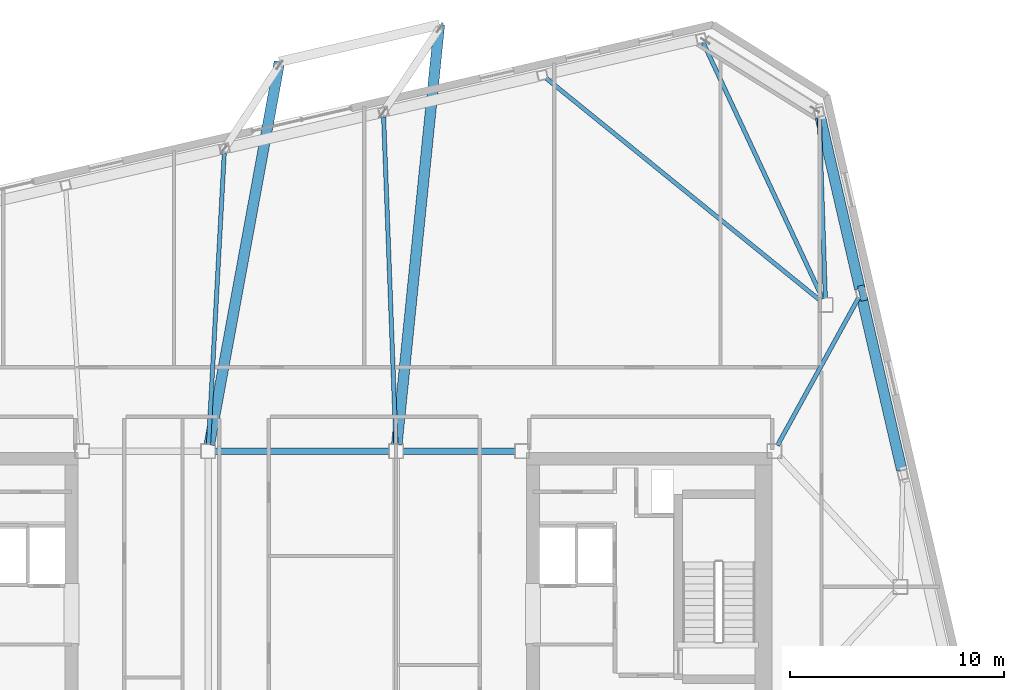
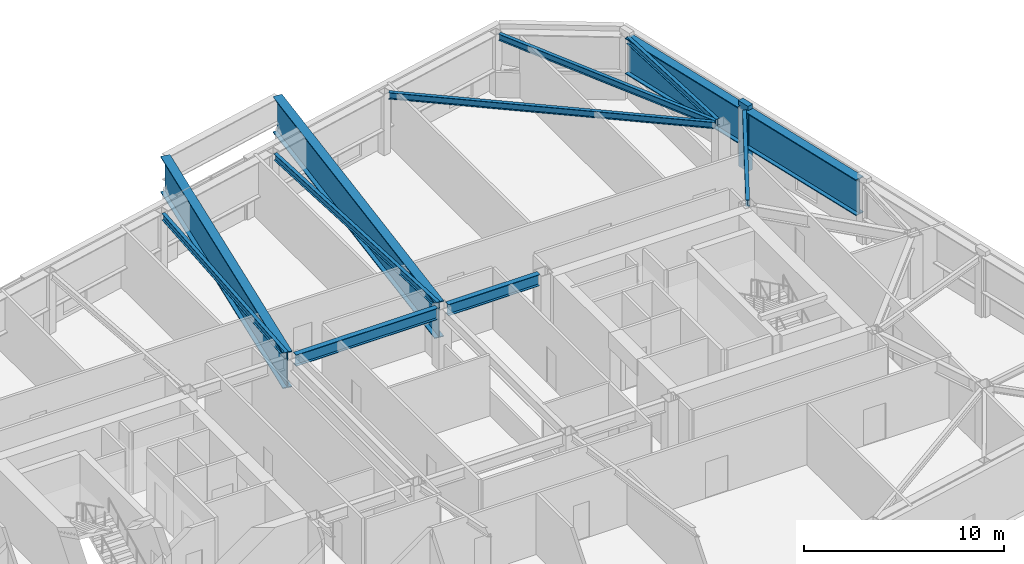
# One storey, part 13 of 23: 12 beams, 1 member.
"""IFC4 building model written with IfcOpenShell, lengths in metres."""

from ifc_helpers import new_model, si_unit, direction, frame, origin, origin_2d, place, context, subcontext, project, spatial, rectangle, i_section, extrude, material, material_profile, profile_set, type_object, element, save


model = new_model("IFC4")

# Units and contexts
model_context = context("Model", 3, precision=1e-05, world=origin(), true_north=direction((0.0, 1.0)))
body_context = subcontext(model_context, "Body", "Model", "MODEL_VIEW")
ifc_project = project(units=[si_unit("LENGTHUNIT", "METRE"), si_unit("AREAUNIT", "SQUARE_METRE"), si_unit("VOLUMEUNIT", "CUBIC_METRE"), si_unit("PLANEANGLEUNIT", "RADIAN"), si_unit("MASSUNIT", "GRAM", prefix="KILO")], contexts=[model_context])

# Site, building, storey
site_placement = place(None, origin())
site = spatial("IfcSite", under=ifc_project, at=site_placement, CompositionType="ELEMENT")
building_placement = place(site_placement, origin())
building = spatial("IfcBuilding", under=site, at=building_placement, Name="Tavrogorsk Clinical Tower", CompositionType="ELEMENT")
storey_placement = place(building_placement, frame((0.0, 0.0, 305.0)))
storey = spatial("IfcBuildingStorey", under=building, at=storey_placement, Name="L71", CompositionType="ELEMENT", Elevation=305.0)

# Beams
ifc_material_1 = material(Name="Structural steel S355", Category="steel")
ifc_material_profile_1 = material_profile(ifc_material_1, i_section(OverallWidth=0.199951171875, OverallDepth=0.39990234375, WebThickness=0.010498046875, FlangeThickness=0.01611328125, at=origin_2d()), Name="B-400x200x10.5x16")
ifc_profile_set_1 = profile_set([ifc_material_profile_1], Name="Structural steel S355")
beam_type_1 = type_object("IfcBeamType", Name="FloorBeam_B400", PredefinedType="BEAM", material=ifc_profile_set_1)
beam_1_placement = place(storey_placement, frame((24.368896484375, 13.48095703125, 3.5400390625), z_axis=(-0.422928957087, 0.906162842571, 0.0), x_axis=(-0.906162842571, -0.422928957087, 0.0)))
element("IfcBeam", 1, at=beam_1_placement, inside=storey, type_object=beam_type_1, Name="L71 Radial Floor Beam N1", PredefinedType="BEAM", context=body_context, shape_type="SweptSolid", body=[
    extrude(i_section(OverallWidth=0.199951171875, OverallDepth=0.39990234375, WebThickness=0.010498046875, FlangeThickness=0.01611328125, at=origin_2d()), origin(), (0.0, 0.0, 1.0), 13.214111328125),
])
beam_2_placement = place(storey_placement, frame((24.25927734375, 13.395263671875, 3.5400390625), z_axis=(-0.77675399059, 0.629804126774, 0.0), x_axis=(-0.629804126774, -0.77675399059, 0.0)))
element("IfcBeam", 2, at=beam_2_placement, inside=storey, type_object=beam_type_1, Name="L71 Radial Floor Beam N2", PredefinedType="BEAM", context=body_context, shape_type="SweptSolid", body=[
    extrude(i_section(OverallWidth=0.199951171875, OverallDepth=0.39990234375, WebThickness=0.010498046875, FlangeThickness=0.01611328125, at=origin_2d()), origin(), (0.0, 0.0, 1.0), 16.524169921875),
])
beam_3_placement = place(storey_placement, frame((4.388427734375, 6.65966796875, 3.5400390625), z_axis=(-0.037472270853, 0.999297667823, 0.0), x_axis=(-0.999297667823, -0.037472270853, 0.0)))
element("IfcBeam", 3, at=beam_3_placement, inside=storey, type_object=beam_type_1, Name="L71 Radial Floor Beam N3", PredefinedType="BEAM", context=body_context, shape_type="SweptSolid", body=[
    extrude(i_section(OverallWidth=0.199951171875, OverallDepth=0.39990234375, WebThickness=0.010498046875, FlangeThickness=0.01611328125, at=origin_2d()), origin(), (0.0, 0.0, 1.0), 15.349853515625),
])
beam_4_placement = place(storey_placement, frame((-4.38330078125, 6.65966796875, 3.5400390625), z_axis=(0.053993102157, 0.998541308569, 0.0), x_axis=(-0.998541308569, 0.053993102157, 0.0)))
element("IfcBeam", 4, at=beam_4_placement, inside=storey, type_object=beam_type_1, Name="L71 Radial Floor Beam N4", PredefinedType="BEAM", context=body_context, shape_type="SweptSolid", body=[
    extrude(i_section(OverallWidth=0.199951171875, OverallDepth=0.39990234375, WebThickness=0.010498046875, FlangeThickness=0.01611328125, at=origin_2d()), origin(), (0.0, 0.0, 1.0), 13.64208984375),
])
beam_5_placement = place(storey_placement, frame((22.249267578125, 6.62158203125, 3.5400390625), z_axis=(0.481705874182, 0.876332956574, 0.0), x_axis=(-0.876332956574, 0.481705874182, 0.0)))
element("IfcBeam", 5, at=beam_5_placement, inside=storey, type_object=beam_type_1, Name="L71 Radial Floor Beam E4", PredefinedType="BEAM", context=body_context, shape_type="SweptSolid", body=[
    extrude(i_section(OverallWidth=0.199951171875, OverallDepth=0.39990234375, WebThickness=0.010498046875, FlangeThickness=0.01611328125, at=origin_2d()), origin(), (0.0, 0.0, 1.0), 7.881103515625),
])
beam_6_placement = place(storey_placement, frame((24.48974609375, 13.509765625, 3.5400390625), z_axis=(-0.033421222185, 0.999441354912, 0.0), x_axis=(-0.999441354912, -0.033421222185, 0.0)))
element("IfcBeam", 6, at=beam_6_placement, inside=storey, type_object=beam_type_1, Name="L71 Radial Floor Beam E5", PredefinedType="BEAM", context=body_context, shape_type="SweptSolid", body=[
    extrude(i_section(OverallWidth=0.199951171875, OverallDepth=0.39990234375, WebThickness=0.010498046875, FlangeThickness=0.01611328125, at=origin_2d()), origin(), (0.0, 0.0, 1.0), 8.48095703125),
])

# Member
ifc_material_2 = material(Name="Precast concrete B45 with limestone cladding", Category="masonry")
ifc_material_profile_2 = material_profile(ifc_material_2, rectangle(XDim=0.320068359375, YDim=0.719970703125, at=origin_2d()), Name="LIMESTONE-FIN-320x720")
ifc_profile_set_2 = profile_set([ifc_material_profile_2], Name="Precast concrete B45 with limestone cladding")
member_type = type_object("IfcMemberType", Name="LimestonePleatFin_320x720", PredefinedType="USERDEFINED", material=ifc_profile_set_2)
member_placement = place(storey_placement, frame((26.23583984375, 13.750244140625, 0.0), z_axis=(0.0, 0.0, 1.0), x_axis=(0.974370064785, 0.224951054344, 0.0)))
element("IfcMember", 7, at=member_placement, inside=storey, type_object=member_type, Name="L71 E Pleated Stone Fin 3", ObjectType="FIN", PredefinedType="USERDEFINED", context=body_context, shape_type="SweptSolid", body=[
    extrude(rectangle(XDim=0.320068359375, YDim=0.719970703125, at=origin_2d()), origin(), (0.0, 0.0, 1.0), 4.0),
])

# Beams
ifc_material_3 = material(Name="Structural steel S390", Category="steel")
ifc_material_profile_3 = material_profile(ifc_material_3, i_section(OverallWidth=0.300048828125, OverallDepth=0.699951171875, WebThickness=0.01708984375, FlangeThickness=0.028076171875, at=origin_2d()), Name="B-700x300x17x28")
ifc_profile_set_3 = profile_set([ifc_material_profile_3], Name="Structural steel S390")
beam_type_2 = type_object("IfcBeamType", Name="PrimaryGirder_B700", PredefinedType="USERDEFINED", material=ifc_profile_set_3)
beam_7_placement = place(storey_placement, frame((-4.090087890625, 6.35009765625, 3.389892578125), z_axis=(1.0, 0.0, 0.0), x_axis=(0.0, 1.0, 0.0)))
element("IfcBeam", 8, at=beam_7_placement, inside=storey, type_object=beam_type_2, Name="L71 Primary Spine Girder MG-04", ObjectType="GIRDER", PredefinedType="USERDEFINED", context=body_context, shape_type="SweptSolid", body=[
    extrude(i_section(OverallWidth=0.300048828125, OverallDepth=0.699951171875, WebThickness=0.01708984375, FlangeThickness=0.028076171875, at=origin_2d()), origin(), (0.0, 0.0, 1.0), 8.18017578125),
])
beam_8_placement = place(storey_placement, frame((4.7099609375, 6.35009765625, 3.389892578125), z_axis=(1.0, 0.0, 0.0), x_axis=(0.0, 1.0, 0.0)))
element("IfcBeam", 9, at=beam_8_placement, inside=storey, type_object=beam_type_2, Name="L71 Primary Spine Girder MG-06", ObjectType="GIRDER", PredefinedType="USERDEFINED", context=body_context, shape_type="SweptSolid", body=[
    extrude(i_section(OverallWidth=0.300048828125, OverallDepth=0.699951171875, WebThickness=0.01708984375, FlangeThickness=0.028076171875, at=origin_2d()), origin(), (0.0, 0.0, 1.0), 5.280029296875),
])
ifc_material_4 = material(Name="Structural steel S440", Category="steel")
ifc_material_profile_4 = material_profile(ifc_material_4, i_section(OverallWidth=0.5, OverallDepth=2.199951171875, WebThickness=0.035888671875, FlangeThickness=0.054931640625, at=origin_2d()), Name="DK-2200x500x36x55")
ifc_profile_set_4 = profile_set([ifc_material_profile_4], Name="Structural steel S440")
beam_type_3 = type_object("IfcBeamType", Name="TransferGirder_DK2200", PredefinedType="USERDEFINED", material=ifc_profile_set_4)
beam_9_placement = place(storey_placement, frame((28.06494140625, 5.472412109375, 2.639892578125), z_axis=(-0.224978460613, 0.974363737144, 0.0), x_axis=(-0.974363737144, -0.224978460613, 0.0)))
element("IfcBeam", 10, at=beam_9_placement, inside=storey, type_object=beam_type_3, Name="L71 Perimeter Spandrel E3-E4", ObjectType="GIRDER", PredefinedType="USERDEFINED", context=body_context, shape_type="SweptSolid", body=[
    extrude(i_section(OverallWidth=0.5, OverallDepth=2.199951171875, WebThickness=0.035888671875, FlangeThickness=0.054931640625, at=origin_2d()), origin(), (0.0, 0.0, 1.0), 8.244140625),
])
beam_10_placement = place(storey_placement, frame((26.10546875, 13.959228515625, 2.639892578125), z_axis=(-0.224950345141, 0.974370228517, 0.0), x_axis=(-0.974370228517, -0.224950345141, 0.0)))
element("IfcBeam", 11, at=beam_10_placement, inside=storey, type_object=beam_type_3, Name="L71 Perimeter Spandrel E4-E5", ObjectType="GIRDER", PredefinedType="USERDEFINED", context=body_context, shape_type="SweptSolid", body=[
    extrude(i_section(OverallWidth=0.5, OverallDepth=2.199951171875, WebThickness=0.035888671875, FlangeThickness=0.054931640625, at=origin_2d()), origin(), (0.0, 0.0, 1.0), 8.243896484375),
])
beam_11_placement = place(storey_placement, frame((-4.34423828125, 6.655029296875, 2.639892578125), z_axis=(0.180099722314, 0.983648356895, 0.0), x_axis=(-0.983648356895, 0.180099722314, 0.0)))
element("IfcBeam", 12, at=beam_11_placement, inside=storey, type_object=beam_type_3, Name="L72 Day-Room Base Transfer Girder DRB-10-L", ObjectType="GIRDER", PredefinedType="USERDEFINED", context=body_context, shape_type="SweptSolid", body=[
    extrude(i_section(OverallWidth=0.5, OverallDepth=2.199951171875, WebThickness=0.035888671875, FlangeThickness=0.054931640625, at=origin_2d()), origin(), (0.0, 0.0, 1.0), 18.2216796875),
])
beam_12_placement = place(storey_placement, frame((4.43115234375, 6.658447265625, 2.639892578125), z_axis=(0.100816516342, 0.994905035686, 0.0), x_axis=(-0.994905035686, 0.100816516342, 0.0)))
element("IfcBeam", 13, at=beam_12_placement, inside=storey, type_object=beam_type_3, Name="L72 Day-Room Base Transfer Girder DRB-10-R", ObjectType="GIRDER", PredefinedType="USERDEFINED", context=body_context, shape_type="SweptSolid", body=[
    extrude(i_section(OverallWidth=0.5, OverallDepth=2.199951171875, WebThickness=0.035888671875, FlangeThickness=0.054931640625, at=origin_2d()), origin(), (0.0, 0.0, 1.0), 19.755615234375),
])

save(model, "model.ifc")
